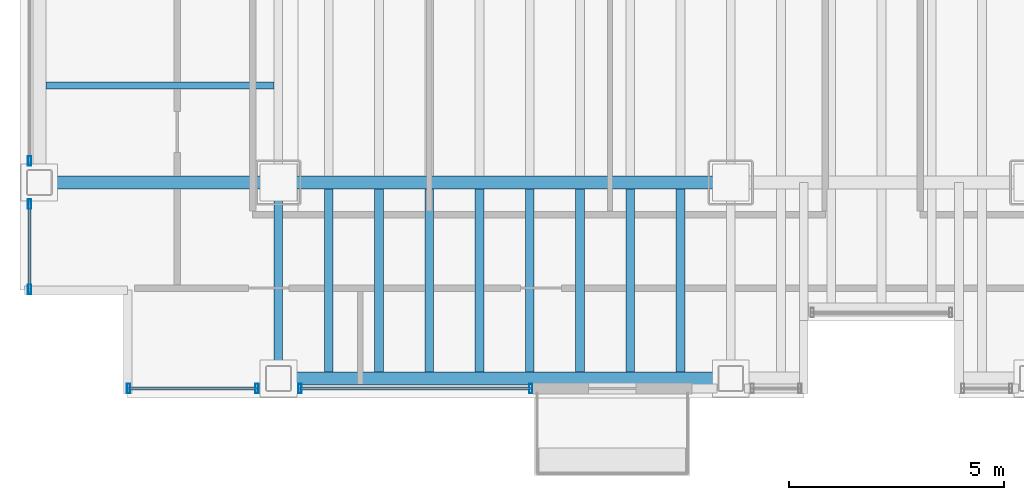
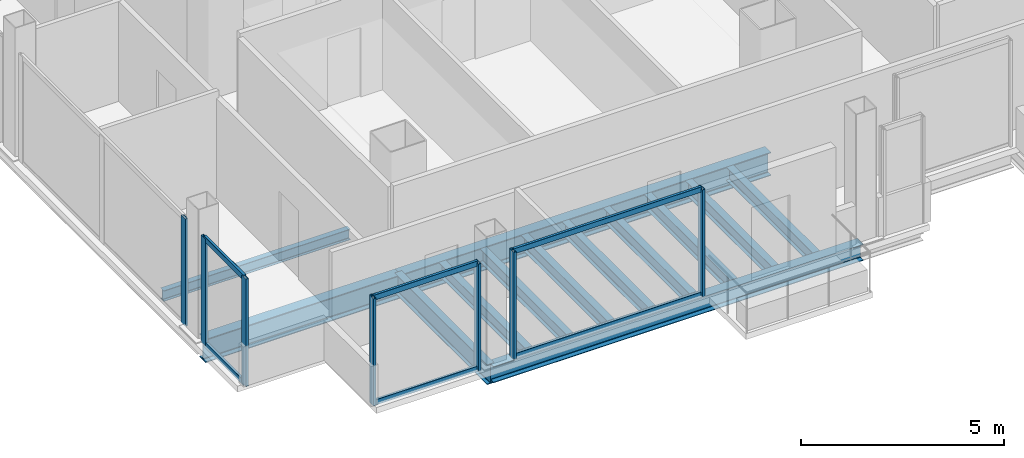
# One storey, part 2 of 20: 13 beams, 13 members, 4 elements without a shape of their own.
"""IFC4 building model written with IfcOpenShell, lengths in metres."""

from ifc_helpers import new_model, si_unit, direction, frame, origin, origin_2d, place, context, subcontext, project, spatial, hollow_rectangle, i_section, extrude, material, material_profile, profile_set, type_object, element, aggregate, save


model = new_model("IFC4")

# Units and contexts
model_context = context("Model", 3, precision=1e-05, world=origin(), true_north=direction((0.0, 1.0)))
body_context = subcontext(model_context, "Body", "Model", "MODEL_VIEW")
ifc_project = project(units=[si_unit("LENGTHUNIT", "METRE"), si_unit("AREAUNIT", "SQUARE_METRE"), si_unit("VOLUMEUNIT", "CUBIC_METRE"), si_unit("PLANEANGLEUNIT", "RADIAN"), si_unit("MASSUNIT", "GRAM", prefix="KILO")], contexts=[model_context])

# Site, building, storey
site_placement = place(None, origin())
site = spatial("IfcSite", under=ifc_project, at=site_placement, CompositionType="ELEMENT")
building_placement = place(site_placement, origin())
building = spatial("IfcBuilding", under=site, at=building_placement, Name="Noeulbin Bourse Tower", CompositionType="ELEMENT")
storey_placement = place(building_placement, frame((0.0, 0.0, 61.60009765625)))
storey = spatial("IfcBuildingStorey", under=building, at=storey_placement, Name="L15", CompositionType="ELEMENT", Elevation=61.60009765625)

# Beams
ifc_material_1 = material(Name="Steel S355", Category="steel")
ifc_material_profile_1 = material_profile(ifc_material_1, i_section(OverallWidth=0.199951171875, OverallDepth=0.60009765625, WebThickness=0.010986328125, FlangeThickness=0.01708984375, FilletRadius=0.02197265625, at=origin_2d()), Name="H-600x200x11x17", Category="LoadBearing")
ifc_profile_set_1 = profile_set([ifc_material_profile_1], Name="Steel S355")
beam_type_1 = type_object("IfcBeamType", Name="BM-GRD-600", PredefinedType="USERDEFINED", material=ifc_profile_set_1)
beam_1_placement = place(storey_placement, frame((13.5, 15.449951171875, -0.47998046875), z_axis=(0.0, 1.0, 0.0), x_axis=(-1.0, 0.0, 0.0)))
element("IfcBeam", 1, at=beam_1_placement, inside=storey, type_object=beam_type_1, Name="Tower Primary Girder NS L15-1.1", ObjectType="GIRDER", PredefinedType="USERDEFINED", context=body_context, shape_type="SweptSolid", body=[
    extrude(i_section(OverallWidth=0.199951171875, OverallDepth=0.60009765625, WebThickness=0.010986328125, FlangeThickness=0.01708984375, FilletRadius=0.02197265625, at=origin_2d()), origin(), (0.0, 0.0, 1.0), 4.550048828125),
])
ifc_material_profile_2 = material_profile(ifc_material_1, i_section(OverallWidth=0.300048828125, OverallDepth=0.699951171875, WebThickness=0.012939453125, FlangeThickness=0.02392578125, FilletRadius=0.02392578125, at=origin_2d()), Name="H-700x300x13x24", Category="LoadBearing")
ifc_profile_set_2 = profile_set([ifc_material_profile_2], Name="Steel S355")
beam_type_2 = type_object("IfcBeamType", Name="BM-GRD-700", PredefinedType="USERDEFINED", material=ifc_profile_set_2)
beam_2_placement = place(storey_placement, frame((7.949951171875, 20.0, -0.530029296875), z_axis=(1.0, 0.0, 0.0), x_axis=(0.0, 1.0, 0.0)))
element("IfcBeam", 2, at=beam_2_placement, inside=storey, type_object=beam_type_2, Name="Tower Primary Girder EW L15-1.1", ObjectType="GIRDER", PredefinedType="USERDEFINED", context=body_context, shape_type="SweptSolid", body=[
    extrude(i_section(OverallWidth=0.300048828125, OverallDepth=0.699951171875, WebThickness=0.012939453125, FlangeThickness=0.02392578125, FilletRadius=0.02392578125, at=origin_2d()), origin(), (0.0, 0.0, 1.0), 5.550048828125),
])
beam_3_placement = place(storey_placement, frame((13.5, 20.0, -0.530029296875), z_axis=(1.0, 0.0, 0.0), x_axis=(0.0, 1.0, 0.0)))
element("IfcBeam", 3, at=beam_3_placement, inside=storey, type_object=beam_type_2, Name="Tower Primary Girder EW L15-1.2", ObjectType="GIRDER", PredefinedType="USERDEFINED", context=body_context, shape_type="SweptSolid", body=[
    extrude(i_section(OverallWidth=0.300048828125, OverallDepth=0.699951171875, WebThickness=0.012939453125, FlangeThickness=0.02392578125, FilletRadius=0.02392578125, at=origin_2d()), origin(), (0.0, 0.0, 1.0), 10.5),
])
ifc_material_profile_3 = material_profile(ifc_material_1, i_section(OverallWidth=0.159912109375, OverallDepth=0.320068359375, WebThickness=0.006591796875, FlangeThickness=0.010009765625, FilletRadius=0.012939453125, at=origin_2d()), Name="H-320x160x6.5x10", Category="LoadBearing")
ifc_profile_set_3 = profile_set([ifc_material_profile_3], Name="Steel S355")
beam_type_3 = type_object("IfcBeamType", Name="BM-JST-320", PredefinedType="JOIST", material=ifc_profile_set_3)
beam_4_placement = place(storey_placement, frame((8.10009765625, 22.25, -0.340087890625), z_axis=(1.0, 0.0, 0.0), x_axis=(0.0, 1.0, 0.0)))
element("IfcBeam", 4, at=beam_4_placement, inside=storey, type_object=beam_type_3, Name="Wing Composite Joist L15-W70", PredefinedType="JOIST", context=body_context, shape_type="SweptSolid", body=[
    extrude(i_section(OverallWidth=0.159912109375, OverallDepth=0.320068359375, WebThickness=0.006591796875, FlangeThickness=0.010009765625, FilletRadius=0.012939453125, at=origin_2d()), origin(), (0.0, 0.0, 1.0), 5.2998046875),
])
ifc_material_profile_4 = material_profile(ifc_material_1, i_section(OverallWidth=0.199951171875, OverallDepth=0.39990234375, WebThickness=0.008056640625, FlangeThickness=0.012939453125, FilletRadius=0.01611328125, at=origin_2d()), Name="H-400x200x8x13", Category="LoadBearing")
ifc_profile_set_4 = profile_set([ifc_material_profile_4], Name="Steel S355")
beam_type_4 = type_object("IfcBeamType", Name="BM-SEC-400", PredefinedType="BEAM", material=ifc_profile_set_4)
for number, where, z_axis, x_axis, name in (
    (5, (14.666748046875, 15.60009765625, -0.380126953125), (0.0, 1.0, 0.0), (-1.0, 0.0, 0.0), "Tower Composite Joist L15-01"),
    (6, (15.833251953125, 15.60009765625, -0.380126953125), (0.0, 1.0, 0.0), (-1.0, 0.0, 0.0), "Tower Composite Joist L15-04"),
    (7, (17.0, 15.60009765625, -0.380126953125), (0.0, 1.0, 0.0), (-1.0, 0.0, 0.0), "Tower Composite Joist L15-07"),
    (8, (18.166748046875, 15.60009765625, -0.380126953125), (0.0, 1.0, 0.0), (-1.0, 0.0, 0.0), "Tower Composite Joist L15-10"),
    (9, (19.333251953125, 15.60009765625, -0.380126953125), (0.0, 1.0, 0.0), (-1.0, 0.0, 0.0), "Tower Composite Joist L15-13"),
    (10, (20.5, 15.60009765625, -0.380126953125), (0.0, 1.0, 0.0), (-1.0, 0.0, 0.0), "Tower Composite Joist L15-16"),
    (11, (21.666748046875, 15.60009765625, -0.380126953125), (0.0, 1.0, 0.0), (-1.0, 0.0, 0.0), "Tower Composite Joist L15-19"),
    (12, (22.833251953125, 15.60009765625, -0.380126953125), (0.0, 1.0, 0.0), (-1.0, 0.0, 0.0), "Tower Composite Joist L15-22"),
):
    element("IfcBeam", number, at=place(storey_placement, frame(where, z_axis=z_axis, x_axis=x_axis)), inside=storey, type_object=beam_type_4, Name=name, PredefinedType="BEAM", context=body_context, shape_type="SweptSolid", body=[
        extrude(i_section(OverallWidth=0.199951171875, OverallDepth=0.39990234375, WebThickness=0.008056640625, FlangeThickness=0.012939453125, FilletRadius=0.01611328125, at=origin_2d()), origin(), (0.0, 0.0, 1.0), 4.25),
    ])
ifc_material_profile_5 = material_profile(ifc_material_1, i_section(OverallWidth=0.300048828125, OverallDepth=0.488037109375, WebThickness=0.010986328125, FlangeThickness=0.01806640625, FilletRadius=0.02197265625, at=origin_2d()), Name="H-488x300x11x18", Category="LoadBearing")
ifc_profile_set_5 = profile_set([ifc_material_profile_5], Name="Steel S355")
beam_type_5 = type_object("IfcBeamType", Name="BM-SPN-488", PredefinedType="SPANDREL", material=ifc_profile_set_5)
beam_5_placement = place(storey_placement, frame((13.5, 15.449951171875, -0.424072265625), z_axis=(1.0, 0.0, 0.0), x_axis=(0.0, 1.0, 0.0)))
element("IfcBeam", 13, at=beam_5_placement, inside=storey, type_object=beam_type_5, Name="South Spandrel L15-1", PredefinedType="SPANDREL", context=body_context, shape_type="SweptSolid", body=[
    extrude(i_section(OverallWidth=0.300048828125, OverallDepth=0.488037109375, WebThickness=0.010986328125, FlangeThickness=0.01806640625, FilletRadius=0.02197265625, at=origin_2d()), origin(), (0.0, 0.0, 1.0), 10.5),
])

# Curtain wall, members
ifc_material_2 = material(Name="Dark Solar-Control Double Glazing", Category="glass")
curtain_wall_type = type_object("IfcCurtainWallType", Name="CW-SYS-2", PredefinedType="NOTDEFINED", material=ifc_material_2)
curtain_wall_1_placement = place(storey_placement, origin())
curtain_wall_1 = element("IfcCurtainWall", 14, at=curtain_wall_1_placement, inside=storey, type_object=curtain_wall_type, Name="Unitised Curtain Wall CW-L15-S1-S1", PredefinedType="NOTDEFINED")
ifc_material_3 = material(Name="Anodised Aluminium 6063-T6", Category="aluminium")
ifc_material_profile_6 = material_profile(ifc_material_3, hollow_rectangle(XDim=0.074951171875, YDim=0.219970703125, WallThickness=0.0048828125, InnerFilletRadius=0.00244140625, OuterFilletRadius=0.0048828125, at=origin_2d()), Name="ALU-MULL-75x220x5", Category="LoadBearing")
ifc_profile_set_6 = profile_set([ifc_material_profile_6], Name="Anodised Aluminium 6063-T6")
member_type_1 = type_object("IfcMemberType", Name="CW-SYS-2-MUL", PredefinedType="MULLION", material=ifc_profile_set_6)
member_1_placement = place(storey_placement, frame((10.02001953125, 15.219970703125, -0.02001953125), z_axis=(0.0, 0.0, 1.0), x_axis=(1.0, 0.0, 0.0)))
member_1 = element("IfcMember", 15, at=member_1_placement, type_object=member_type_1, Name="Curtain Wall Mullion CW-L15-S1-S1-M00", PredefinedType="MULLION", context=body_context, shape_type="SweptSolid", body=[
    extrude(hollow_rectangle(XDim=0.074951171875, YDim=0.219970703125, WallThickness=0.0048828125, InnerFilletRadius=0.00244140625, OuterFilletRadius=0.0048828125, at=origin_2d()), origin(), (0.0, 0.0, 1.0), 3.219970703125),
])
member_2_placement = place(storey_placement, frame((13.0, 15.219970703125, -0.02001953125), z_axis=(0.0, 0.0, 1.0), x_axis=(1.0, 0.0, 0.0)))
member_2 = element("IfcMember", 16, at=member_2_placement, type_object=member_type_1, Name="Curtain Wall Mullion CW-L15-S1-S1-M01", PredefinedType="MULLION", context=body_context, shape_type="SweptSolid", body=[
    extrude(hollow_rectangle(XDim=0.074951171875, YDim=0.219970703125, WallThickness=0.0048828125, InnerFilletRadius=0.00244140625, OuterFilletRadius=0.0048828125, at=origin_2d()), origin(), (0.0, 0.0, 1.0), 3.219970703125),
])

curtain_wall_2_placement = place(storey_placement, origin())
curtain_wall_2 = element("IfcCurtainWall", 17, at=curtain_wall_2_placement, inside=storey, type_object=curtain_wall_type, Name="Unitised Curtain Wall CW-L15-S1-S2", PredefinedType="NOTDEFINED")
member_3_placement = place(storey_placement, frame((14.0, 15.219970703125, -0.02001953125), z_axis=(0.0, 0.0, 1.0), x_axis=(1.0, 0.0, 0.0)))
member_3 = element("IfcMember", 18, at=member_3_placement, type_object=member_type_1, Name="Curtain Wall Mullion CW-L15-S1-S2-M00", PredefinedType="MULLION", context=body_context, shape_type="SweptSolid", body=[
    extrude(hollow_rectangle(XDim=0.074951171875, YDim=0.219970703125, WallThickness=0.0048828125, InnerFilletRadius=0.00244140625, OuterFilletRadius=0.0048828125, at=origin_2d()), origin(), (0.0, 0.0, 1.0), 3.219970703125),
])
member_4_placement = place(storey_placement, frame((19.360107421875, 15.219970703125, -0.02001953125), z_axis=(0.0, 0.0, 1.0), x_axis=(1.0, 0.0, 0.0)))
member_4 = element("IfcMember", 19, at=member_4_placement, type_object=member_type_1, Name="Curtain Wall Mullion CW-L15-S1-S2-M01", PredefinedType="MULLION", context=body_context, shape_type="SweptSolid", body=[
    extrude(hollow_rectangle(XDim=0.074951171875, YDim=0.219970703125, WallThickness=0.0048828125, InnerFilletRadius=0.00244140625, OuterFilletRadius=0.0048828125, at=origin_2d()), origin(), (0.0, 0.0, 1.0), 3.219970703125),
])

curtain_wall_3_placement = place(storey_placement, origin())
curtain_wall_3 = element("IfcCurtainWall", 20, at=curtain_wall_3_placement, inside=storey, type_object=curtain_wall_type, Name="Unitised Curtain Wall CW-L15-W-S1", PredefinedType="NOTDEFINED")
member_5_placement = place(storey_placement, frame((7.719970703125, 17.52001953125, -0.02001953125), z_axis=(0.0, 0.0, 1.0), x_axis=(1.0, 0.0, 0.0)))
member_5 = element("IfcMember", 21, at=member_5_placement, type_object=member_type_1, Name="Curtain Wall Mullion CW-L15-W-S1-M00", PredefinedType="MULLION", context=body_context, shape_type="SweptSolid", body=[
    extrude(hollow_rectangle(XDim=0.074951171875, YDim=0.219970703125, WallThickness=0.0048828125, InnerFilletRadius=0.00244140625, OuterFilletRadius=0.0048828125, at=origin_2d()), origin(), (0.0, 0.0, 1.0), 3.219970703125),
])
member_6_placement = place(storey_placement, frame((7.719970703125, 19.5, -0.02001953125), z_axis=(0.0, 0.0, 1.0), x_axis=(1.0, 0.0, 0.0)))
member_6 = element("IfcMember", 22, at=member_6_placement, type_object=member_type_1, Name="Curtain Wall Mullion CW-L15-W-S1-M01", PredefinedType="MULLION", context=body_context, shape_type="SweptSolid", body=[
    extrude(hollow_rectangle(XDim=0.074951171875, YDim=0.219970703125, WallThickness=0.0048828125, InnerFilletRadius=0.00244140625, OuterFilletRadius=0.0048828125, at=origin_2d()), origin(), (0.0, 0.0, 1.0), 3.219970703125),
])

# Curtain wall, member
curtain_wall_4_placement = place(storey_placement, origin())
curtain_wall_4 = element("IfcCurtainWall", 23, at=curtain_wall_4_placement, inside=storey, type_object=curtain_wall_type, Name="Unitised Curtain Wall CW-L15-W-S2", PredefinedType="NOTDEFINED")
member_7_placement = place(storey_placement, frame((7.719970703125, 20.5, -0.02001953125), z_axis=(0.0, 0.0, 1.0), x_axis=(1.0, 0.0, 0.0)))
member_7 = element("IfcMember", 24, at=member_7_placement, type_object=member_type_1, Name="Curtain Wall Mullion CW-L15-W-S2-M00", PredefinedType="MULLION", context=body_context, shape_type="SweptSolid", body=[
    extrude(hollow_rectangle(XDim=0.074951171875, YDim=0.219970703125, WallThickness=0.0048828125, InnerFilletRadius=0.00244140625, OuterFilletRadius=0.0048828125, at=origin_2d()), origin(), (0.0, 0.0, 1.0), 3.219970703125),
])
aggregate(curtain_wall_4, [member_7])

# Member
ifc_material_profile_7 = material_profile(ifc_material_3, hollow_rectangle(XDim=0.074951171875, YDim=0.159912109375, WallThickness=0.0048828125, InnerFilletRadius=0.00244140625, OuterFilletRadius=0.0048828125, at=origin_2d()), Name="ALU-TRAN-75x160x5", Category="LoadBearing")
ifc_profile_set_7 = profile_set([ifc_material_profile_7], Name="Anodised Aluminium 6063-T6")
member_type_2 = type_object("IfcMemberType", Name="CW-SYS-2-TRN", PredefinedType="USERDEFINED", material=ifc_profile_set_7)
member_8_placement = place(storey_placement, frame((10.030029296875, 15.219970703125, 0.010009765625), z_axis=(1.0, 0.0, 0.0), x_axis=(0.0, 1.0, 0.0)))
member_8 = element("IfcMember", 25, at=member_8_placement, type_object=member_type_2, Name="Curtain Wall Transom CW-L15-S1-S1-T00", ObjectType="TRANSOM", PredefinedType="USERDEFINED", context=body_context, shape_type="SweptSolid", body=[
    extrude(hollow_rectangle(XDim=0.074951171875, YDim=0.159912109375, WallThickness=0.0048828125, InnerFilletRadius=0.00244140625, OuterFilletRadius=0.0048828125, at=origin_2d()), origin(), (0.0, 0.0, 1.0), 2.9599609375),
])

member_9_placement = place(storey_placement, frame((10.030029296875, 15.219970703125, 3.169921875), z_axis=(1.0, 0.0, 0.0), x_axis=(0.0, 1.0, 0.0)))
member_9 = element("IfcMember", 26, at=member_9_placement, type_object=member_type_2, Name="Curtain Wall Transom CW-L15-S1-S1-T01", ObjectType="TRANSOM", PredefinedType="USERDEFINED", context=body_context, shape_type="SweptSolid", body=[
    extrude(hollow_rectangle(XDim=0.074951171875, YDim=0.159912109375, WallThickness=0.0048828125, InnerFilletRadius=0.00244140625, OuterFilletRadius=0.0048828125, at=origin_2d()), origin(), (0.0, 0.0, 1.0), 2.9599609375),
])

aggregate(curtain_wall_1, [member_1, member_2, member_8, member_9])

member_10_placement = place(storey_placement, frame((14.010009765625, 15.219970703125, 0.010009765625), z_axis=(1.0, 0.0, 0.0), x_axis=(0.0, 1.0, 0.0)))
member_10 = element("IfcMember", 27, at=member_10_placement, type_object=member_type_2, Name="Curtain Wall Transom CW-L15-S1-S2-T00", ObjectType="TRANSOM", PredefinedType="USERDEFINED", context=body_context, shape_type="SweptSolid", body=[
    extrude(hollow_rectangle(XDim=0.074951171875, YDim=0.159912109375, WallThickness=0.0048828125, InnerFilletRadius=0.00244140625, OuterFilletRadius=0.0048828125, at=origin_2d()), origin(), (0.0, 0.0, 1.0), 5.340087890625),
])

member_11_placement = place(storey_placement, frame((14.010009765625, 15.219970703125, 3.169921875), z_axis=(1.0, 0.0, 0.0), x_axis=(0.0, 1.0, 0.0)))
member_11 = element("IfcMember", 28, at=member_11_placement, type_object=member_type_2, Name="Curtain Wall Transom CW-L15-S1-S2-T01", ObjectType="TRANSOM", PredefinedType="USERDEFINED", context=body_context, shape_type="SweptSolid", body=[
    extrude(hollow_rectangle(XDim=0.074951171875, YDim=0.159912109375, WallThickness=0.0048828125, InnerFilletRadius=0.00244140625, OuterFilletRadius=0.0048828125, at=origin_2d()), origin(), (0.0, 0.0, 1.0), 5.340087890625),
])

aggregate(curtain_wall_2, [member_3, member_4, member_10, member_11])

member_12_placement = place(storey_placement, frame((7.719970703125, 17.530029296875, 0.010009765625), z_axis=(0.0, 1.0, 0.0), x_axis=(-1.0, 0.0, 0.0)))
member_12 = element("IfcMember", 29, at=member_12_placement, type_object=member_type_2, Name="Curtain Wall Transom CW-L15-W-S1-T00", ObjectType="TRANSOM", PredefinedType="USERDEFINED", context=body_context, shape_type="SweptSolid", body=[
    extrude(hollow_rectangle(XDim=0.074951171875, YDim=0.159912109375, WallThickness=0.0048828125, InnerFilletRadius=0.00244140625, OuterFilletRadius=0.0048828125, at=origin_2d()), origin(), (0.0, 0.0, 1.0), 1.9599609375),
])

member_13_placement = place(storey_placement, frame((7.719970703125, 17.530029296875, 3.169921875), z_axis=(0.0, 1.0, 0.0), x_axis=(-1.0, 0.0, 0.0)))
member_13 = element("IfcMember", 30, at=member_13_placement, type_object=member_type_2, Name="Curtain Wall Transom CW-L15-W-S1-T01", ObjectType="TRANSOM", PredefinedType="USERDEFINED", context=body_context, shape_type="SweptSolid", body=[
    extrude(hollow_rectangle(XDim=0.074951171875, YDim=0.159912109375, WallThickness=0.0048828125, InnerFilletRadius=0.00244140625, OuterFilletRadius=0.0048828125, at=origin_2d()), origin(), (0.0, 0.0, 1.0), 1.9599609375),
])

aggregate(curtain_wall_3, [member_5, member_6, member_12, member_13])

save(model, "model.ifc")
